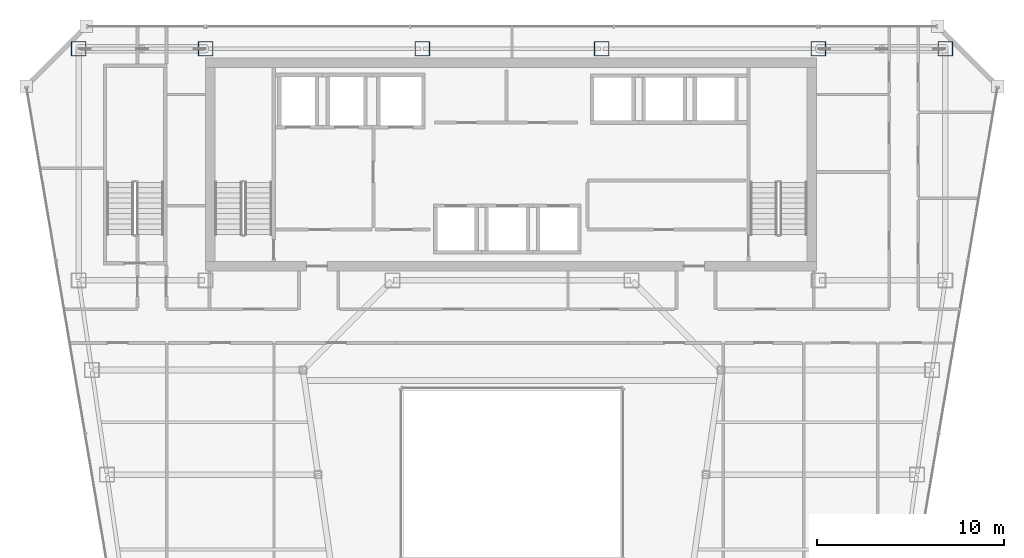
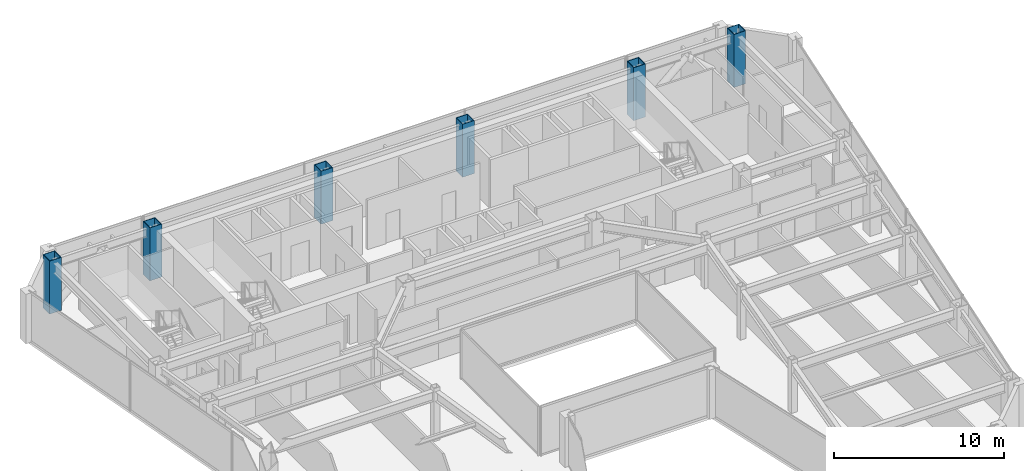
# One storey, part 2 of 36: 6 columns.
"""IFC4 building model written with IfcOpenShell, lengths in metres."""

from ifc_helpers import new_model, si_unit, direction, frame, origin, origin_2d, place, context, subcontext, project, spatial, hollow_rectangle, extrude, material, material_profile, profile_set, type_object, element, save


model = new_model("IFC4")

# Units and contexts
model_context = context("Model", 3, precision=1e-05, world=origin(), true_north=direction((0.0, 1.0)))
body_context = subcontext(model_context, "Body", "Model", "MODEL_VIEW")
ifc_project = project(units=[si_unit("LENGTHUNIT", "METRE"), si_unit("AREAUNIT", "SQUARE_METRE"), si_unit("VOLUMEUNIT", "CUBIC_METRE"), si_unit("PLANEANGLEUNIT", "RADIAN"), si_unit("MASSUNIT", "GRAM", prefix="KILO")], contexts=[model_context])

# Site, building, storey
site_placement = place(None, origin())
site = spatial("IfcSite", under=ifc_project, at=site_placement, CompositionType="ELEMENT")
building_placement = place(site_placement, origin())
building = spatial("IfcBuilding", under=site, at=building_placement, Name="Saevonmaru Cultural Tower", CompositionType="ELEMENT")
storey_placement = place(building_placement, frame((0.0, 0.0, 209.39990234375)))
storey = spatial("IfcBuildingStorey", under=building, at=storey_placement, Name="L48", CompositionType="ELEMENT", Elevation=209.39990234375)

# Columns
ifc_material = material(Name="Steel SM420", Category="steel")
ifc_material_profile = material_profile(ifc_material, hollow_rectangle(XDim=0.800048828125, YDim=0.800048828125, WallThickness=0.035888671875, at=origin_2d()), Name="BOX-800x800x36")
ifc_profile_set = profile_set([ifc_material_profile], Name="Steel SM420")
column_type = type_object("IfcColumnType", Name="COL-BOX-800", PredefinedType="COLUMN", material=ifc_profile_set)
for number, where, z_axis, x_axis, name in (
    (1, (6.800048828125, 54.800048828125, 0.0), (0.0, 0.0, 1.0), (1.0, 0.0, 0.0), "L48 Column TC-N1N"),
    (2, (13.60009765625, 54.800048828125, 0.0), (0.0, 0.0, 1.0), (1.0, 0.0, 0.0), "L48 Column TC-N2N"),
    (3, (25.199951171875, 54.800048828125, 0.0), (0.0, 0.0, 1.0), (1.0, 0.0, 0.0), "L48 Column TC-N3N"),
    (4, (34.800048828125, 54.800048828125, 0.0), (0.0, 0.0, 1.0), (1.0, 0.0, 0.0), "L48 Column TC-N4N"),
    (5, (46.39990234375, 54.800048828125, 0.0), (0.0, 0.0, 1.0), (1.0, 0.0, 0.0), "L48 Column TC-N5N"),
    (6, (53.199951171875, 54.800048828125, 0.0), (0.0, 0.0, 1.0), (1.0, 0.0, 0.0), "L48 Column TC-N6N"),
):
    element("IfcColumn", number, at=place(storey_placement, frame(where, z_axis=z_axis, x_axis=x_axis)), inside=storey, type_object=column_type, Name=name, PredefinedType="COLUMN", context=body_context, shape_type="SweptSolid", body=[
        extrude(hollow_rectangle(XDim=0.800048828125, YDim=0.800048828125, WallThickness=0.035888671875, at=origin_2d()), origin(), (0.0, 0.0, 1.0), 3.800048828125),
    ])

save(model, "model.ifc")
